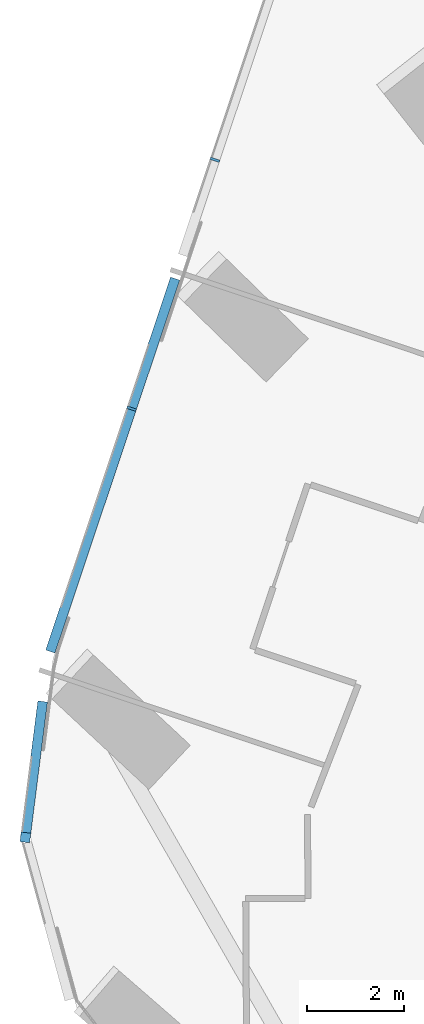
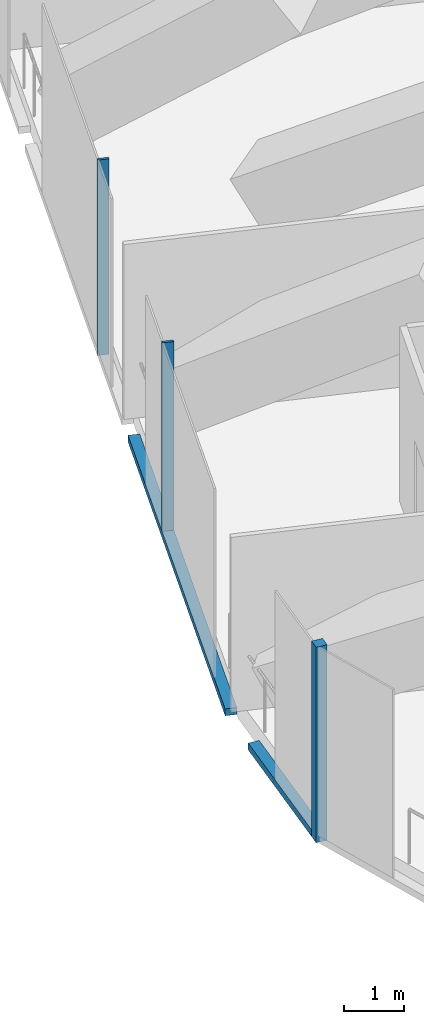
# One storey, part 3 of 28: 5 members, 2 elements without a shape of their own.
"""IFC4 building model written with IfcOpenShell, lengths in metres."""

from ifc_helpers import new_model, si_unit, direction, frame, origin, origin_2d, place, context, subcontext, project, spatial, rectangle, extrude, material, material_profile, profile_set, type_object, element, aggregate, save


model = new_model("IFC4")

# Units and contexts
model_context = context("Model", 3, precision=1e-05, world=origin(), true_north=direction((0.0, 1.0)))
body_context = subcontext(model_context, "Body", "Model", "MODEL_VIEW")
ifc_project = project(units=[si_unit("LENGTHUNIT", "METRE"), si_unit("AREAUNIT", "SQUARE_METRE"), si_unit("VOLUMEUNIT", "CUBIC_METRE"), si_unit("PLANEANGLEUNIT", "RADIAN"), si_unit("MASSUNIT", "GRAM", prefix="KILO")], contexts=[model_context])

# Site, building, storey
site_placement = place(None, origin())
site = spatial("IfcSite", under=ifc_project, at=site_placement, CompositionType="ELEMENT")
building_placement = place(site_placement, origin())
building = spatial("IfcBuilding", under=site, at=building_placement, Name="Orlundy Tower", CompositionType="ELEMENT")
storey_placement = place(building_placement, frame((0.0, 0.0, 163.10009765625)))
storey = spatial("IfcBuildingStorey", under=building, at=storey_placement, Name="L42", CompositionType="ELEMENT", Elevation=163.10009765625)

# Curtain wall, member
ifc_material_1 = material(Name="Aluminium bronze anodised", Category="aluminium")
curtain_wall_type = type_object("IfcCurtainWallType", Name="CW5 wall", PredefinedType="NOTDEFINED", material=ifc_material_1)
curtain_wall_1_placement = place(storey_placement, origin())
curtain_wall_1 = element("IfcCurtainWall", 1, at=curtain_wall_1_placement, inside=storey, type_object=curtain_wall_type, Name="CW5 run 042", PredefinedType="NOTDEFINED")
ifc_material_2 = material(Name="Aluminium bronze anodised", Category="aluminium")
ifc_material_profile_1 = material_profile(ifc_material_2, rectangle(XDim=0.199951171875, YDim=0.199951171875, at=origin_2d()), Name="CW5 corner post 200x200")
ifc_profile_set_1 = profile_set([ifc_material_profile_1], Name="Aluminium bronze anodised")
member_type_1 = type_object("IfcMemberType", Name="CW5 corner post 200x200", PredefinedType="MULLION", material=ifc_profile_set_1)
member_1_placement = place(storey_placement, frame((-35.400634765625, -44.754150390625, -0.400146484375), z_axis=(0.0, 0.0, 1.0), x_axis=(-0.992031053136, 0.125993609416, 0.0)))
member_1 = element("IfcMember", 2, at=member_1_placement, type_object=member_type_1, Name="CW5 mullion 62", PredefinedType="MULLION", context=body_context, shape_type="SweptSolid", body=[
    extrude(rectangle(XDim=0.199951171875, YDim=0.199951171875, at=origin_2d()), origin(), (0.0, 0.0, 1.0), 3.97998046875),
])

# Curtain wall, members
curtain_wall_2_placement = place(storey_placement, origin())
curtain_wall_2 = element("IfcCurtainWall", 3, at=curtain_wall_2_placement, inside=storey, type_object=curtain_wall_type, Name="CW5 run 043", PredefinedType="NOTDEFINED")
ifc_material_3 = material(Name="Aluminium bronze anodised", Category="aluminium")
ifc_material_profile_2 = material_profile(ifc_material_3, rectangle(XDim=0.199951171875, YDim=0.050048828125, at=origin_2d()), Name="CW5 mullion 50x200")
ifc_profile_set_2 = profile_set([ifc_material_profile_2], Name="Aluminium bronze anodised")
member_type_2 = type_object("IfcMemberType", Name="CW5 mullion 50x200", PredefinedType="MULLION", material=ifc_profile_set_2)
member_2_placement = place(storey_placement, frame((-33.20654296875, -35.897216796875, -0.400146484375), z_axis=(0.0, 0.0, 1.0), x_axis=(-0.948321131732, 0.317312198176, 0.0)))
member_2 = element("IfcMember", 4, at=member_2_placement, type_object=member_type_2, Name="CW5 mullion 64", PredefinedType="MULLION", context=body_context, shape_type="SweptSolid", body=[
    extrude(rectangle(XDim=0.199951171875, YDim=0.050048828125, at=origin_2d()), origin(), (0.0, 0.0, 1.0), 3.97998046875),
])
member_3_placement = place(storey_placement, frame((-31.486328125, -30.75634765625, -0.400146484375), z_axis=(0.0, 0.0, 1.0), x_axis=(-0.948321131732, 0.317312198176, 0.0)))
member_3 = element("IfcMember", 5, at=member_3_placement, type_object=member_type_2, Name="CW5 mullion 65", PredefinedType="MULLION", context=body_context, shape_type="SweptSolid", body=[
    extrude(rectangle(XDim=0.199951171875, YDim=0.050048828125, at=origin_2d()), origin(), (0.0, 0.0, 1.0), 3.97998046875),
])

# Member
ifc_material_4 = material(Name="Aluminium bronze anodised", Category="aluminium")
ifc_material_profile_3 = material_profile(ifc_material_4, rectangle(XDim=0.199951171875, YDim=0.139892578125, at=origin_2d()), Name="CW5 transom 200x140")
ifc_profile_set_3 = profile_set([ifc_material_profile_3], Name="Aluminium bronze anodised")
member_type_3 = type_object("IfcMemberType", Name="CW5 transom 200x140", PredefinedType="USERDEFINED", material=ifc_profile_set_3)
member_4_placement = place(storey_placement, frame((-35.38818359375, -44.65478515625, -0.330078125), z_axis=(0.126047945604, 0.992024150618, 0.0), x_axis=(-0.992024150618, 0.126047945604, 0.0)))
member_4 = element("IfcMember", 6, at=member_4_placement, type_object=member_type_3, Name="CW5 transom", ObjectType="TRANSOM", PredefinedType="USERDEFINED", context=body_context, shape_type="SweptSolid", body=[
    extrude(rectangle(XDim=0.199951171875, YDim=0.139892578125, at=origin_2d()), origin(), (0.0, 0.0, 1.0), 2.73095703125),
])

aggregate(curtain_wall_1, [member_1, member_4])

member_5_placement = place(storey_placement, frame((-34.885498046875, -40.9150390625, -0.330078125), z_axis=(0.317291517104, 0.948328051454, 0.0), x_axis=(-0.948328051454, 0.317291517104, 0.0)))
member_5 = element("IfcMember", 7, at=member_5_placement, type_object=member_type_3, Name="CW5 transom", ObjectType="TRANSOM", PredefinedType="USERDEFINED", context=body_context, shape_type="SweptSolid", body=[
    extrude(rectangle(XDim=0.199951171875, YDim=0.139892578125, at=origin_2d()), origin(), (0.0, 0.0, 1.0), 8.123046875),
])

aggregate(curtain_wall_2, [member_2, member_3, member_5])

save(model, "model.ifc")
